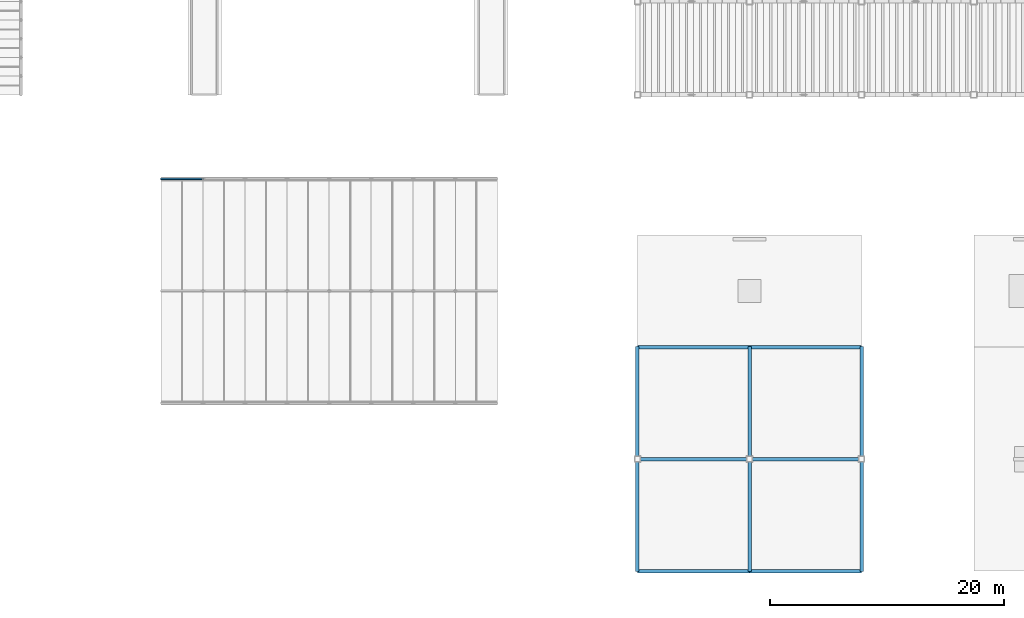
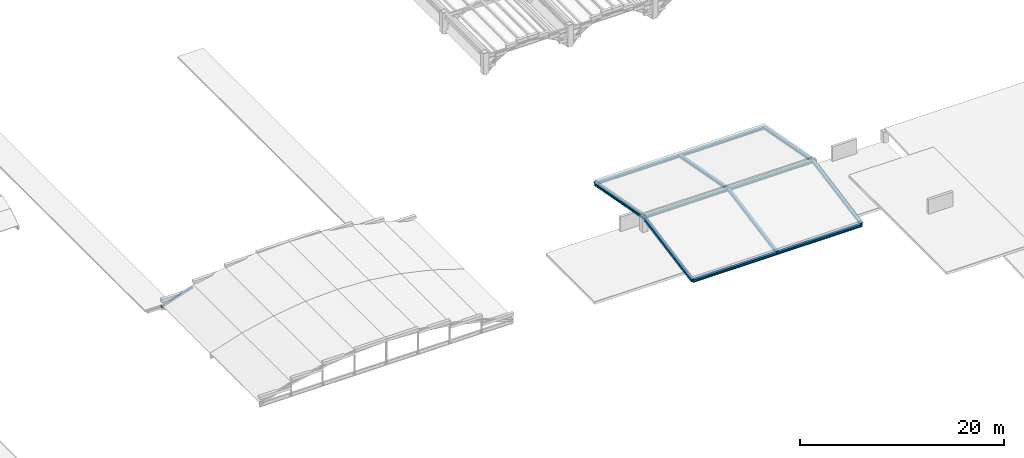
# One storey, part 12 of 70: 12 beams, 1 member.
"""IFC4 building model written with IfcOpenShell, lengths in metres."""

from ifc_helpers import new_model, si_unit, direction, frame, origin, origin_2d, place, context, subcontext, project, spatial, hollow_rectangle, i_section, extrude, material, material_profile, profile_set, type_object, element, save


model = new_model("IFC4")

# Units and contexts
model_context = context("Model", 3, precision=1e-05, world=origin(), true_north=direction((0.0, 1.0)))
body_context = subcontext(model_context, "Body", "Model", "MODEL_VIEW")
ifc_project = project(units=[si_unit("LENGTHUNIT", "METRE"), si_unit("AREAUNIT", "SQUARE_METRE"), si_unit("VOLUMEUNIT", "CUBIC_METRE"), si_unit("PLANEANGLEUNIT", "RADIAN"), si_unit("MASSUNIT", "GRAM", prefix="KILO")], contexts=[model_context])

# Site, building, storey
site_placement = place(None, origin())
site = spatial("IfcSite", under=ifc_project, at=site_placement, CompositionType="ELEMENT")
building_placement = place(site_placement, origin())
building = spatial("IfcBuilding", under=site, at=building_placement, Name="Mavantir Sound Aquarium", CompositionType="ELEMENT")
storey_placement = place(building_placement, frame((0.0, 0.0, 27.0)))
storey = spatial("IfcBuildingStorey", under=building, at=storey_placement, Name="RF", CompositionType="ELEMENT", Elevation=27.0)

# Beams
ifc_material_1 = material(Name="Structural Steel ASTM A992 Gr50", Category="steel")
ifc_material_profile_1 = material_profile(ifc_material_1, i_section(OverallWidth=0.304931640625, OverallDepth=0.30810546875, WebThickness=0.010009765625, FlangeThickness=0.015380859375, FilletRadius=0.014892578125, at=origin_2d()), Name="W310X97")
ifc_profile_set_1 = profile_set([ifc_material_profile_1], Name="Structural Steel ASTM A992 Gr50")
beam_type = type_object("IfcBeamType", Name="BM-W310X97-E", PredefinedType="SPANDREL", material=ifc_profile_set_1)
beam_1_placement = place(storey_placement, frame((108.0, 0.0, -7.3955078125), z_axis=(1.0, 0.0, 0.0), x_axis=(0.0, 1.0, 0.0)))
element("IfcBeam", 1, at=beam_1_placement, inside=storey, type_object=beam_type, Name="Pavilion roof rafter beam 46", PredefinedType="SPANDREL", context=body_context, shape_type="SweptSolid", body=[
    extrude(i_section(OverallWidth=0.304931640625, OverallDepth=0.30810546875, WebThickness=0.010009765625, FlangeThickness=0.015380859375, FilletRadius=0.014892578125, at=origin_2d()), origin(), (0.0, 0.0, 1.0), 9.60009765625),
])
beam_2_placement = place(storey_placement, frame((117.60009765625, 0.0, -7.3955078125), z_axis=(1.0, 0.0, 0.0), x_axis=(0.0, 1.0, 0.0)))
element("IfcBeam", 2, at=beam_2_placement, inside=storey, type_object=beam_type, Name="Pavilion roof rafter beam 47", PredefinedType="SPANDREL", context=body_context, shape_type="SweptSolid", body=[
    extrude(i_section(OverallWidth=0.304931640625, OverallDepth=0.30810546875, WebThickness=0.010009765625, FlangeThickness=0.015380859375, FilletRadius=0.014892578125, at=origin_2d()), origin(), (0.0, 0.0, 1.0), 9.599853515625),
])
beam_3_placement = place(storey_placement, frame((108.0, 9.60009765625, -5.595458984375), z_axis=(1.0, 0.0, 0.0), x_axis=(0.0, 1.0, 0.0)))
element("IfcBeam", 3, at=beam_3_placement, inside=storey, type_object=beam_type, Name="Pavilion roof rafter beam 48", PredefinedType="SPANDREL", context=body_context, shape_type="SweptSolid", body=[
    extrude(i_section(OverallWidth=0.304931640625, OverallDepth=0.30810546875, WebThickness=0.010009765625, FlangeThickness=0.015380859375, FilletRadius=0.014892578125, at=origin_2d()), origin(), (0.0, 0.0, 1.0), 9.60009765625),
])
beam_4_placement = place(storey_placement, frame((117.60009765625, 9.60009765625, -5.595458984375), z_axis=(1.0, 0.0, 0.0), x_axis=(0.0, 1.0, 0.0)))
element("IfcBeam", 4, at=beam_4_placement, inside=storey, type_object=beam_type, Name="Pavilion roof rafter beam 49", PredefinedType="SPANDREL", context=body_context, shape_type="SweptSolid", body=[
    extrude(i_section(OverallWidth=0.304931640625, OverallDepth=0.30810546875, WebThickness=0.010009765625, FlangeThickness=0.015380859375, FilletRadius=0.014892578125, at=origin_2d()), origin(), (0.0, 0.0, 1.0), 9.599853515625),
])
for number, where, z_axis, x_axis, name in (
    (5, (108.0, 0.0, -7.36962890625), (0.0, 0.982871620995, 0.184291553369), (-1.0, 0.0, 0.0), "Pavilion roof slope rafter 50"),
    (6, (117.60009765625, 0.0, -7.36962890625), (0.0, 0.982871620995, 0.184291553369), (-1.0, 0.0, 0.0), "Pavilion roof slope rafter 51"),
    (7, (127.199951171875, 0.0, -7.36962890625), (0.0, 0.982871620995, 0.184291553369), (-1.0, 0.0, 0.0), "Pavilion roof slope rafter 52"),
):
    element("IfcBeam", number, at=place(storey_placement, frame(where, z_axis=z_axis, x_axis=x_axis)), inside=storey, type_object=beam_type, Name=name, PredefinedType="SPANDREL", context=body_context, shape_type="SweptSolid", body=[
        extrude(i_section(OverallWidth=0.304931640625, OverallDepth=0.30810546875, WebThickness=0.010009765625, FlangeThickness=0.015380859375, FilletRadius=0.014892578125, at=origin_2d()), origin(), (0.0, 0.0, 1.0), 9.767333984375),
    ])
beam_5_placement = place(storey_placement, frame((108.0, 19.199951171875, -7.3955078125), z_axis=(1.0, 0.0, 0.0), x_axis=(0.0, 1.0, 0.0)))
element("IfcBeam", 8, at=beam_5_placement, inside=storey, type_object=beam_type, Name="Pavilion roof rafter beam 53", PredefinedType="SPANDREL", context=body_context, shape_type="SweptSolid", body=[
    extrude(i_section(OverallWidth=0.304931640625, OverallDepth=0.30810546875, WebThickness=0.010009765625, FlangeThickness=0.015380859375, FilletRadius=0.014892578125, at=origin_2d()), origin(), (0.0, 0.0, 1.0), 9.60009765625),
])
beam_6_placement = place(storey_placement, frame((117.60009765625, 19.199951171875, -7.3955078125), z_axis=(1.0, 0.0, 0.0), x_axis=(0.0, 1.0, 0.0)))
element("IfcBeam", 9, at=beam_6_placement, inside=storey, type_object=beam_type, Name="Pavilion roof rafter beam 54", PredefinedType="SPANDREL", context=body_context, shape_type="SweptSolid", body=[
    extrude(i_section(OverallWidth=0.304931640625, OverallDepth=0.30810546875, WebThickness=0.010009765625, FlangeThickness=0.015380859375, FilletRadius=0.014892578125, at=origin_2d()), origin(), (0.0, 0.0, 1.0), 9.599853515625),
])
for number, where, z_axis, x_axis, name in (
    (10, (108.0, 9.60009765625, -5.569580078125), (0.0, 0.982870772033, -0.18429608103), (-1.0, 0.0, 0.0), "Pavilion roof slope rafter 55"),
    (11, (117.60009765625, 9.60009765625, -5.569580078125), (0.0, 0.982870772033, -0.18429608103), (-1.0, 0.0, 0.0), "Pavilion roof slope rafter 56"),
    (12, (127.199951171875, 9.60009765625, -5.569580078125), (0.0, 0.982870772033, -0.18429608103), (-1.0, 0.0, 0.0), "Pavilion roof slope rafter 57"),
):
    element("IfcBeam", number, at=place(storey_placement, frame(where, z_axis=z_axis, x_axis=x_axis)), inside=storey, type_object=beam_type, Name=name, PredefinedType="SPANDREL", context=body_context, shape_type="SweptSolid", body=[
        extrude(i_section(OverallWidth=0.304931640625, OverallDepth=0.30810546875, WebThickness=0.010009765625, FlangeThickness=0.015380859375, FilletRadius=0.014892578125, at=origin_2d()), origin(), (0.0, 0.0, 1.0), 9.76708984375),
    ])

# Member
ifc_material_2 = material(Name="Hollow Structural Steel ASTM A500 GrC", Category="steel")
ifc_material_profile_2 = material_profile(ifc_material_2, hollow_rectangle(XDim=0.14990234375, YDim=0.25, WallThickness=0.010009765625, InnerFilletRadius=0.010009765625, OuterFilletRadius=0.02001953125, at=origin_2d()), Name="RHS 250X150X10")
ifc_profile_set_2 = profile_set([ifc_material_profile_2], Name="Hollow Structural Steel ASTM A500 GrC")
member_type = type_object("IfcMemberType", Name="MEM-AR-RHS250", PredefinedType="CHORD", material=ifc_profile_set_2)
member_placement = place(storey_placement, frame((67.199951171875, 33.60009765625, -16.6298828125), z_axis=(0.951949270462, 0.0, 0.306255753362), x_axis=(0.0, 1.0, 0.0)))
element("IfcMember", 13, at=member_placement, inside=storey, type_object=member_type, Name="V7 entry vault arch rib 82", PredefinedType="CHORD", context=body_context, shape_type="SweptSolid", body=[
    extrude(hollow_rectangle(XDim=0.14990234375, YDim=0.25, WallThickness=0.010009765625, InnerFilletRadius=0.010009765625, OuterFilletRadius=0.02001953125, at=origin_2d()), origin(), (0.0, 0.0, 1.0), 3.78173828125),
])

save(model, "model.ifc")
